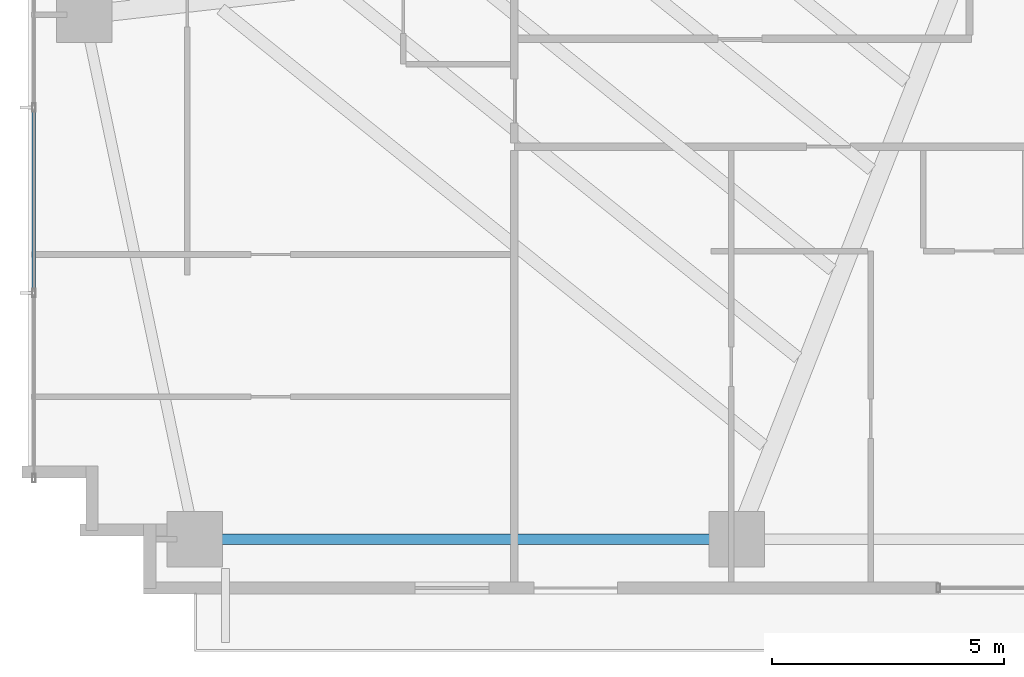
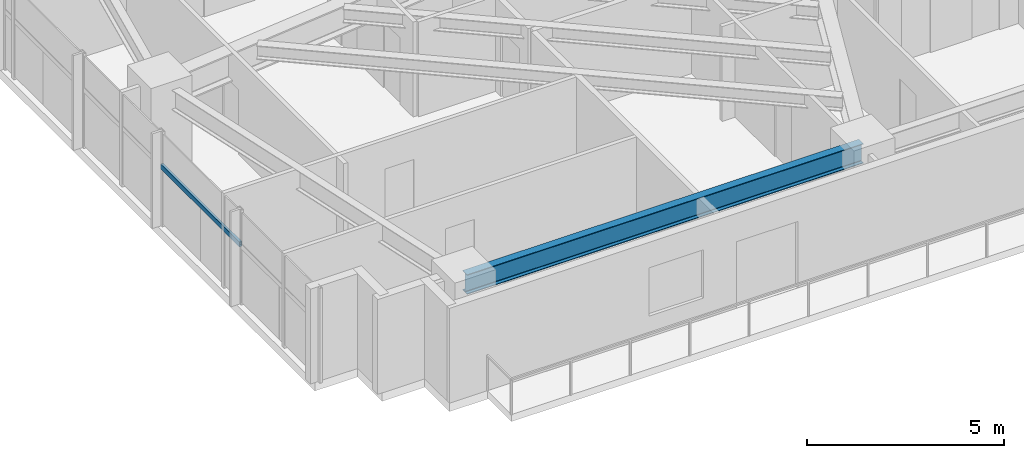
# One storey, part 3 of 25: 1 beam, 1 member, 1 element without a shape of its own.
"""IFC4 building model written with IfcOpenShell, lengths in metres."""

from ifc_helpers import new_model, si_unit, direction, frame, origin, origin_2d, place, context, subcontext, project, spatial, hollow_rectangle, i_section, extrude, source, transform, mapped, material, material_profile, profile_set, type_object, type_shapes, element, aggregate, save


model = new_model("IFC4")

# Units and contexts
model_context = context("Model", 3, precision=1e-05, world=origin(), true_north=direction((0.0, 1.0)))
body_context = subcontext(model_context, "Body", "Model", "MODEL_VIEW")
ifc_project = project(units=[si_unit("LENGTHUNIT", "METRE"), si_unit("AREAUNIT", "SQUARE_METRE"), si_unit("VOLUMEUNIT", "CUBIC_METRE"), si_unit("PLANEANGLEUNIT", "RADIAN"), si_unit("MASSUNIT", "GRAM", prefix="KILO")], contexts=[model_context])

# Site, building, storey
site_placement = place(None, origin())
site = spatial("IfcSite", under=ifc_project, at=site_placement, CompositionType="ELEMENT")
building_placement = place(site_placement, origin())
building = spatial("IfcBuilding", under=site, at=building_placement, Name="Astriad Promenade Condominiums", CompositionType="ELEMENT")
storey_placement = place(building_placement, frame((0.0, 0.0, 58.199951171875)))
storey = spatial("IfcBuildingStorey", under=building, at=storey_placement, Name="L16", CompositionType="ELEMENT", Elevation=58.199951171875)

# Beam
ifc_material_1 = material(Name="Steel ASTM A992 Grade 50", Category="steel")
ifc_material_profile_1 = material_profile(ifc_material_1, i_section(OverallWidth=0.22900390625, OverallDepth=0.612060546875, WebThickness=0.011962890625, FlangeThickness=0.01953125, FilletRadius=0.017822265625, at=origin_2d()), Name="W24X84")
ifc_profile_set_1 = profile_set([ifc_material_profile_1], Name="Steel ASTM A992 Grade 50")
beam_type = type_object("IfcBeamType", Name="STEEL SPANDREL BEAM W24X84", PredefinedType="SPANDREL", material=ifc_profile_set_1)
shared_shape_1 = source(origin(), body_context, "Body", "SweptSolid", [
    extrude(i_section(OverallWidth=0.22900390625, OverallDepth=0.612060546875, WebThickness=0.011962890625, FlangeThickness=0.01953125, FilletRadius=0.017822265625, at=origin_2d()), origin(), (0.0, 0.0, 1.0), 11.6201171875),
])
type_shapes(beam_type, [shared_shape_1])
beam_placement = place(storey_placement, frame((9.43994140625, 3.8798828125, 2.634033203125), z_axis=(1.0, 0.0, 0.0), x_axis=(0.0, 1.0, 0.0)))
element("IfcBeam", 1, at=beam_placement, inside=storey, type_object=beam_type, Name="Perimeter Spandrel Beam SP-S1-L16", PredefinedType="SPANDREL", context=body_context, shape_type="MappedRepresentation", body=[
    mapped(shared_shape_1, transform((0.0, 0.0, 0.0), scale=1.0)),
])

# Curtain wall, member
ifc_material_2 = material(Name="Anodised aluminium Black Dark Glass Unitised", Category="aluminium")
curtain_wall_type = type_object("IfcCurtainWallType", Name="CW-B1-DARK", PredefinedType="USERDEFINED", material=ifc_material_2)
curtain_wall_placement = place(storey_placement, origin())
curtain_wall = element("IfcCurtainWall", 2, at=curtain_wall_placement, inside=storey, type_object=curtain_wall_type, Name="CW-L16-W", ObjectType="UNITISED_CURTAIN_WALL", PredefinedType="USERDEFINED")
ifc_material_3 = material(Name="Anodised aluminium 6063-T6 Black", Category="aluminium")
ifc_material_profile_2 = material_profile(ifc_material_3, hollow_rectangle(XDim=0.074951171875, YDim=0.14990234375, WallThickness=0.004150390625, at=origin_2d()), Name="ALU-TRN-75X150")
ifc_profile_set_2 = profile_set([ifc_material_profile_2], Name="Anodised aluminium 6063-T6 Black")
member_type = type_object("IfcMemberType", Name="TRN-ALU-TRN-75X150", PredefinedType="USERDEFINED", material=ifc_profile_set_2)
shared_shape_2 = source(origin(), body_context, "Body", "SweptSolid", [
    extrude(hollow_rectangle(XDim=0.074951171875, YDim=0.14990234375, WallThickness=0.004150390625, at=origin_2d()), origin(), (0.0, 0.0, 1.0), 4.0),
])
type_shapes(member_type, [shared_shape_2])
member_placement = place(storey_placement, frame((5.929931640625, 9.199951171875, 1.82275390625), z_axis=(0.0, 1.0, 0.0), x_axis=(-1.0, 0.0, 0.0)))
member = element("IfcMember", 3, at=member_placement, type_object=member_type, Name="CW-L16-W-TRN-01-0", ObjectType="TRANSOM", PredefinedType="USERDEFINED", context=body_context, shape_type="MappedRepresentation", body=[
    mapped(shared_shape_2, transform((0.0, 0.0, 0.0), scale=1.0)),
])
aggregate(curtain_wall, [member])

save(model, "model.ifc")
